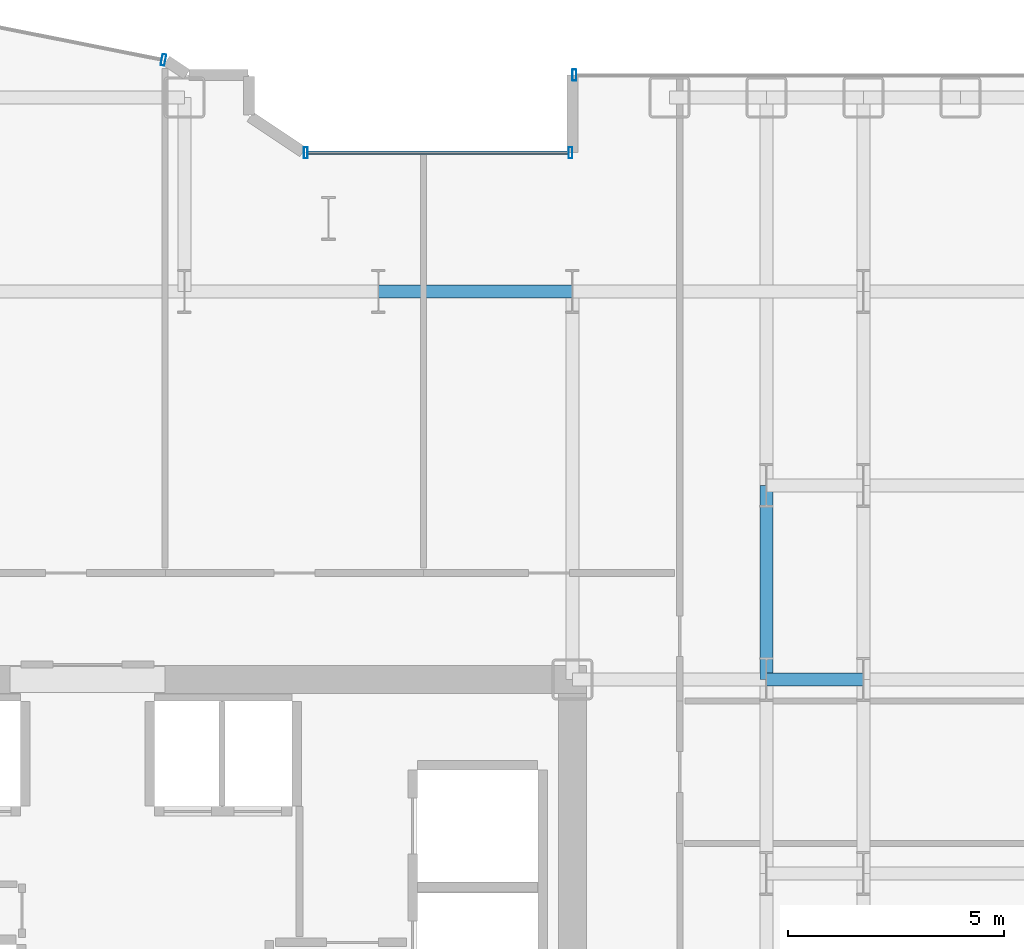
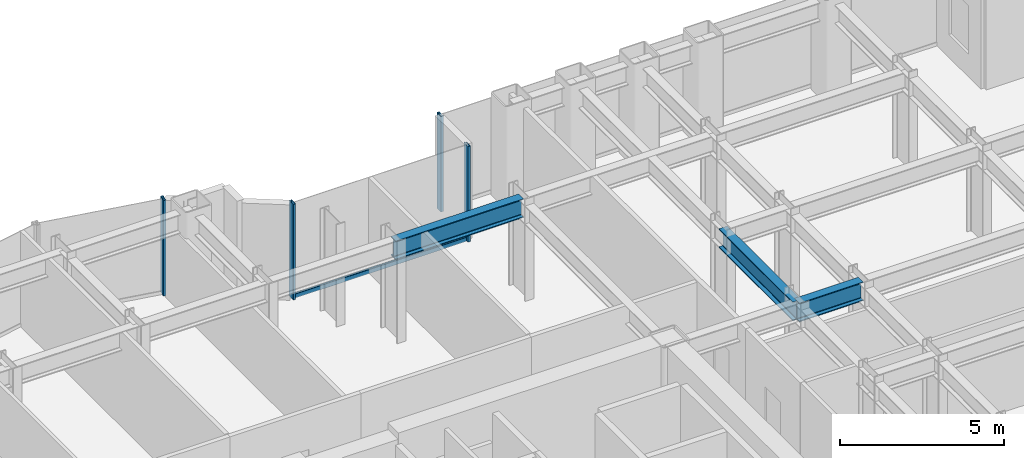
# One storey, part 12 of 26: 5 members, 3 beams, 3 elements without a shape of their own.
"""IFC4 building model written with IfcOpenShell, lengths in metres."""

from ifc_helpers import new_model, si_unit, direction, frame, origin, origin_2d, place, context, subcontext, project, spatial, hollow_rectangle, i_section, extrude, source, transform, mapped, material, layer, layer_set, material_profile, profile_set, type_object, element, aggregate, save


model = new_model("IFC4")

# Units and contexts
model_context = context("Model", 3, precision=1e-05, world=origin(), true_north=direction((0.0, 1.0)))
body_context = subcontext(model_context, "Body", "Model", "MODEL_VIEW")
ifc_project = project(units=[si_unit("LENGTHUNIT", "METRE"), si_unit("AREAUNIT", "SQUARE_METRE"), si_unit("VOLUMEUNIT", "CUBIC_METRE"), si_unit("PLANEANGLEUNIT", "RADIAN"), si_unit("MASSUNIT", "GRAM", prefix="KILO")], contexts=[model_context])

# Site, building, storey
site_placement = place(None, origin())
site = spatial("IfcSite", under=ifc_project, at=site_placement, CompositionType="ELEMENT")
building_placement = place(site_placement, origin())
building = spatial("IfcBuilding", under=site, at=building_placement, Name="Nefas-Gora Pilgrimage Tower", CompositionType="ELEMENT")
storey_placement = place(building_placement, frame((0.0, 0.0, 63.39990234375)))
storey = spatial("IfcBuildingStorey", under=building, at=storey_placement, Name="L14", CompositionType="ELEMENT", Elevation=63.39990234375)

# Beams
ifc_material_1 = material(Name="Steel S355", Category="steel")
ifc_material_profile_1 = material_profile(ifc_material_1, i_section(OverallWidth=0.300048828125, OverallDepth=0.699951171875, WebThickness=0.01708984375, FlangeThickness=0.031982421875, FilletRadius=0.027099609375, at=origin_2d()), Name="HEB 700")
ifc_profile_set_1 = profile_set([ifc_material_profile_1], Name="Steel S355")
beam_type = type_object("IfcBeamType", Name="BM-GIR-HEB700", PredefinedType="BEAM", material=ifc_profile_set_1)
shared_shape_1 = source(origin(), body_context, "Body", "SweptSolid", [
    extrude(i_section(OverallWidth=0.300048828125, OverallDepth=0.699951171875, WebThickness=0.01708984375, FlangeThickness=0.031982421875, FilletRadius=0.027099609375, at=origin_2d()), origin(), (0.0, 0.0, 1.0), 4.5),
])
for number, where, z_axis, x_axis, name in (
    (1, (6.75, 18.0, 3.2001953125), (1.0, 0.0, 0.0), (0.0, 1.0, 0.0), "L14 G-02 beam"),
    (2, (15.75, 9.0, 3.2001953125), (0.0, 1.0, 0.0), (-1.0, 0.0, 0.0), "L14 G-02 beam"),
):
    element("IfcBeam", number, at=place(storey_placement, frame(where, z_axis=z_axis, x_axis=x_axis)), inside=storey, type_object=beam_type, Name=name, PredefinedType="BEAM", context=body_context, shape_type="MappedRepresentation", body=[
        mapped(shared_shape_1, transform((0.0, 0.0, 0.0), x_axis=(1.0, 0.0, 0.0), y_axis=(0.0, 1.0, 0.0), z_axis=(0.0, 0.0, 1.0), scale=1.0)),
    ])
shared_shape_2 = source(origin(), body_context, "Body", "SweptSolid", [
    extrude(i_section(OverallWidth=0.300048828125, OverallDepth=0.699951171875, WebThickness=0.01708984375, FlangeThickness=0.031982421875, FilletRadius=0.027099609375, at=origin_2d()), origin(), (0.0, 0.0, 1.0), 2.25),
])
beam_placement = place(storey_placement, frame((15.75, 9.0, 3.2001953125), z_axis=(1.0, 0.0, 0.0), x_axis=(0.0, 1.0, 0.0)))
element("IfcBeam", 3, at=beam_placement, inside=storey, type_object=beam_type, Name="L14 G-02 beam", PredefinedType="BEAM", context=body_context, shape_type="MappedRepresentation", body=[
    mapped(shared_shape_2, transform((0.0, 0.0, 0.0), x_axis=(1.0, 0.0, 0.0), y_axis=(0.0, 1.0, 0.0), z_axis=(0.0, 0.0, 1.0), scale=1.0)),
])

# Curtain wall, members
ifc_material_2 = material(Name="Dark ceramic-fritted solar-control aluminium-glass curtain wall", Category="aluminium")
ifc_layer_1 = layer(ifc_material_2, 0.219970703125)
ifc_layer_set_1 = layer_set([ifc_layer_1], Name="Dark ceramic-fritted solar-control aluminium-glass curtain wall")
curtain_wall_type_1 = type_object("IfcCurtainWallType", Name="CW-SYS-5", PredefinedType="NOTDEFINED", material=ifc_layer_set_1)
curtain_wall_1_placement = place(storey_placement, origin())
curtain_wall_1 = element("IfcCurtainWall", 4, at=curtain_wall_1_placement, inside=storey, type_object=curtain_wall_type_1, Name="L14 Unitised Curtain Wall CW5", PredefinedType="NOTDEFINED")
ifc_material_3 = material(Name="Anodised architectural aluminium", Category="aluminium")
ifc_material_profile_2 = material_profile(ifc_material_3, hollow_rectangle(XDim=0.090087890625, YDim=0.260009765625, WallThickness=0.006103515625, InnerFilletRadius=0.006103515625, OuterFilletRadius=0.011962890625, at=origin_2d()), Name="ALU MULLION 90x260")
ifc_profile_set_2 = profile_set([ifc_material_profile_2], Name="Anodised architectural aluminium")
member_type_1 = type_object("IfcMemberType", Name="CWM-MUL-5", PredefinedType="MULLION", material=ifc_profile_set_2)
shared_shape_3 = source(origin(), body_context, "Body", "SweptSolid", [
    extrude(hollow_rectangle(XDim=0.090087890625, YDim=0.260009765625, WallThickness=0.006103515625, InnerFilletRadius=0.006103515625, OuterFilletRadius=0.011962890625, at=origin_2d()), origin(), (0.0, 0.0, 1.0), 3.550048828125),
])
member_1_placement = place(storey_placement, frame((11.205078125, 21.219970703125, 0.0), z_axis=(0.0, 0.0, 1.0), x_axis=(-1.0, 0.0, 0.0)))
member_1 = element("IfcMember", 5, at=member_1_placement, type_object=member_type_1, Name="CW5 Mullion 1", PredefinedType="MULLION", context=body_context, shape_type="MappedRepresentation", body=[
    mapped(shared_shape_3, transform((0.0, 0.0, 0.0), x_axis=(1.0, 0.0, 0.0), y_axis=(0.0, 1.0, 0.0), z_axis=(0.0, 0.0, 1.0), scale=1.0)),
])
member_2_placement = place(storey_placement, frame((5.06298828125, 21.219970703125, 0.0), z_axis=(0.0, 0.0, 1.0), x_axis=(-1.0, 0.0, 0.0)))
member_2 = element("IfcMember", 6, at=member_2_placement, type_object=member_type_1, Name="CW5 Mullion 2", PredefinedType="MULLION", context=body_context, shape_type="MappedRepresentation", body=[
    mapped(shared_shape_3, transform((0.0, 0.0, 0.0), x_axis=(1.0, 0.0, 0.0), y_axis=(0.0, 1.0, 0.0), z_axis=(0.0, 0.0, 1.0), scale=1.0)),
])

# Curtain wall, member
curtain_wall_2_placement = place(storey_placement, origin())
curtain_wall_2 = element("IfcCurtainWall", 7, at=curtain_wall_2_placement, inside=storey, type_object=curtain_wall_type_1, Name="L14 Unitised Curtain Wall CW5", PredefinedType="NOTDEFINED")
member_3_placement = place(storey_placement, frame((1.76318359375, 23.3740234375, 0.0), z_axis=(0.0, 0.0, 1.0), x_axis=(-0.980782896852, 0.195102304554, 0.0)))
member_3 = element("IfcMember", 8, at=member_3_placement, type_object=member_type_1, Name="CW5 Mullion 1", PredefinedType="MULLION", context=body_context, shape_type="MappedRepresentation", body=[
    mapped(shared_shape_3, transform((0.0, 0.0, 0.0), x_axis=(1.0, 0.0, 0.0), y_axis=(0.0, 1.0, 0.0), z_axis=(0.0, 0.0, 1.0), scale=1.0)),
])
aggregate(curtain_wall_2, [member_3])

# Member
ifc_material_profile_3 = material_profile(ifc_material_3, hollow_rectangle(XDim=0.080078125, YDim=0.159912109375, WallThickness=0.00439453125, InnerFilletRadius=0.00439453125, OuterFilletRadius=0.009033203125, at=origin_2d()), Name="ALU TRANSOM 80x160")
ifc_profile_set_3 = profile_set([ifc_material_profile_3], Name="Anodised architectural aluminium")
member_type_2 = type_object("IfcMemberType", Name="CWM-TRN-5", PredefinedType="USERDEFINED", material=ifc_profile_set_3)
shared_shape_4 = source(origin(), body_context, "Body", "SweptSolid", [
    extrude(hollow_rectangle(XDim=0.080078125, YDim=0.159912109375, WallThickness=0.00439453125, InnerFilletRadius=0.00439453125, OuterFilletRadius=0.009033203125, at=origin_2d()), origin(), (0.0, 0.0, 1.0), 6.052001953125),
])
member_4_placement = place(storey_placement, frame((11.159912109375, 21.219970703125, 0.050048828125), z_axis=(-1.0, 0.0, 0.0), x_axis=(0.0, -1.0, 0.0)))
member_4 = element("IfcMember", 9, at=member_4_placement, type_object=member_type_2, Name="CW5 Spandrel Transom", ObjectType="TRANSOM", PredefinedType="USERDEFINED", context=body_context, shape_type="MappedRepresentation", body=[
    mapped(shared_shape_4, transform((0.0, 0.0, 0.0), x_axis=(1.0, 0.0, 0.0), y_axis=(0.0, 1.0, 0.0), z_axis=(0.0, 0.0, 1.0), scale=1.0)),
])

aggregate(curtain_wall_1, [member_1, member_2, member_4])

# Curtain wall, member
ifc_layer_2 = layer(ifc_material_2, 0.219970703125)
ifc_layer_set_2 = layer_set([ifc_layer_2], Name="Dark ceramic-fritted solar-control aluminium-glass curtain wall")
curtain_wall_type_2 = type_object("IfcCurtainWallType", Name="CW-SYS-2", PredefinedType="NOTDEFINED", material=ifc_layer_set_2)
curtain_wall_3_placement = place(storey_placement, origin())
curtain_wall_3 = element("IfcCurtainWall", 10, at=curtain_wall_3_placement, inside=storey, type_object=curtain_wall_type_2, Name="L14 Unitised Curtain Wall CW2", PredefinedType="NOTDEFINED")
ifc_material_profile_4 = material_profile(ifc_material_3, hollow_rectangle(XDim=0.090087890625, YDim=0.260009765625, WallThickness=0.006103515625, InnerFilletRadius=0.006103515625, OuterFilletRadius=0.011962890625, at=origin_2d()), Name="ALU MULLION 90x260")
ifc_profile_set_4 = profile_set([ifc_material_profile_4], Name="Anodised architectural aluminium")
member_type_3 = type_object("IfcMemberType", Name="CWM-MUL-2", PredefinedType="MULLION", material=ifc_profile_set_4)
shared_shape_5 = source(origin(), body_context, "Body", "SweptSolid", [
    extrude(hollow_rectangle(XDim=0.090087890625, YDim=0.260009765625, WallThickness=0.006103515625, InnerFilletRadius=0.006103515625, OuterFilletRadius=0.011962890625, at=origin_2d()), origin(), (0.0, 0.0, 1.0), 3.550048828125),
])
member_5_placement = place(storey_placement, frame((11.294921875, 23.02001953125, 0.0), z_axis=(0.0, 0.0, 1.0), x_axis=(-1.0, 0.0, 0.0)))
member_5 = element("IfcMember", 11, at=member_5_placement, type_object=member_type_3, Name="CW2 Mullion 2", PredefinedType="MULLION", context=body_context, shape_type="MappedRepresentation", body=[
    mapped(shared_shape_5, transform((0.0, 0.0, 0.0), x_axis=(1.0, 0.0, 0.0), y_axis=(0.0, 1.0, 0.0), z_axis=(0.0, 0.0, 1.0), scale=1.0)),
])
aggregate(curtain_wall_3, [member_5])

save(model, "model.ifc")
